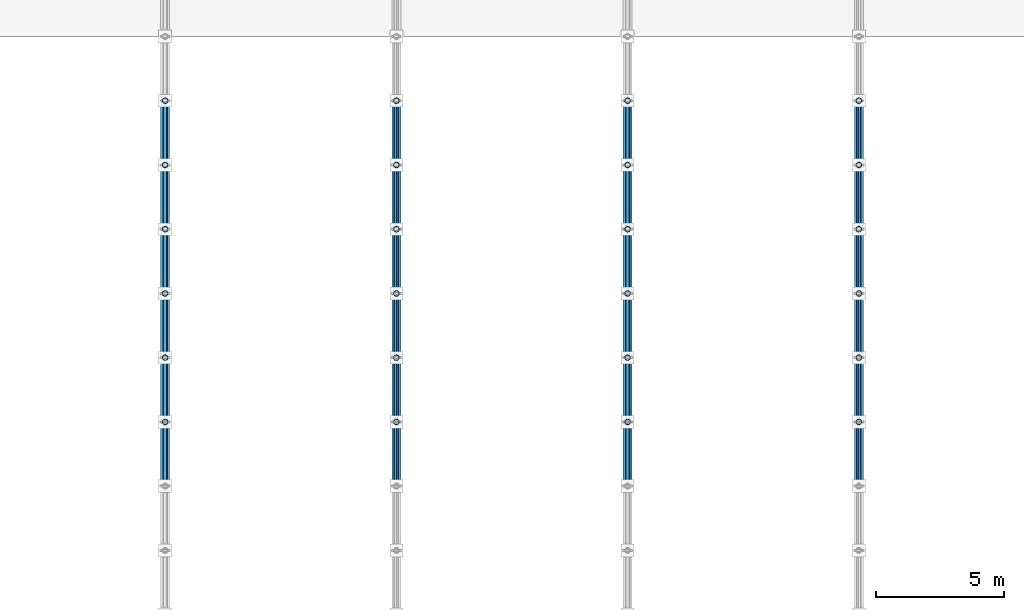
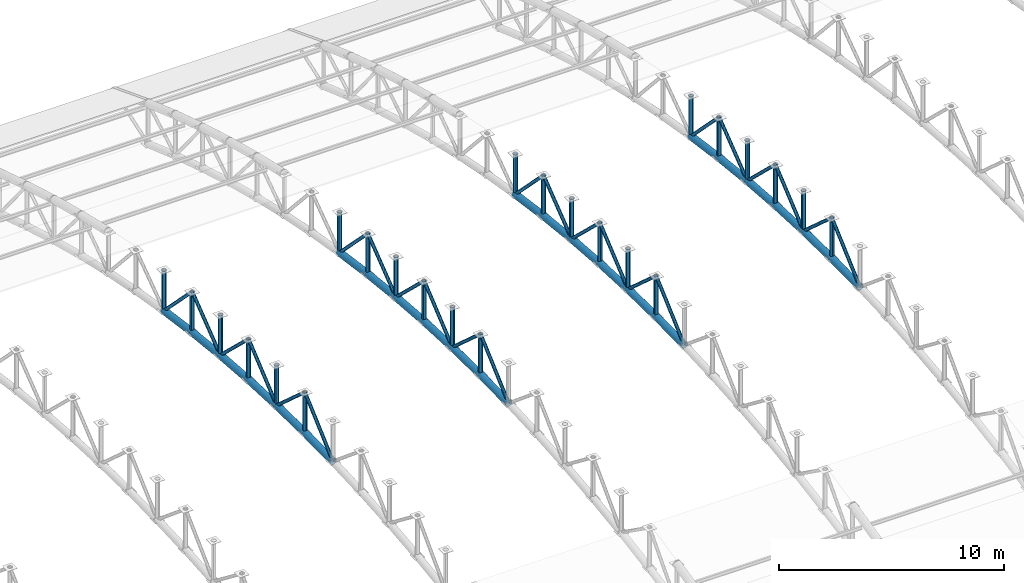
# One storey, part 81 of 195: 72 members.
"""IFC4 building model written with IfcOpenShell, lengths in metres."""

from ifc_helpers import new_model, si_unit, direction, frame, origin, origin_2d, place, context, subcontext, project, spatial, hollow_circle, extrude, material, material_profile, profile_set, type_object, element, save


model = new_model("IFC4")

# Units and contexts
model_context = context("Model", 3, precision=1e-05, world=origin(), true_north=direction((0.0, 1.0)))
body_context = subcontext(model_context, "Body", "Model", "MODEL_VIEW")
ifc_project = project(units=[si_unit("LENGTHUNIT", "METRE"), si_unit("AREAUNIT", "SQUARE_METRE"), si_unit("VOLUMEUNIT", "CUBIC_METRE"), si_unit("PLANEANGLEUNIT", "RADIAN"), si_unit("MASSUNIT", "GRAM", prefix="KILO")], contexts=[model_context])

# Site, building, storey
site_placement = place(None, origin())
site = spatial("IfcSite", under=ifc_project, at=site_placement, CompositionType="ELEMENT")
building_placement = place(site_placement, origin())
building = spatial("IfcBuilding", under=site, at=building_placement, Name="Marlcrest Central Station", CompositionType="ELEMENT")
storey_placement = place(building_placement, frame((0.0, 0.0, 9.800048828125)))
storey = spatial("IfcBuildingStorey", under=building, at=storey_placement, Name="L02", CompositionType="ELEMENT", Elevation=9.800048828125)

# Members
ifc_material = material(Name="Steel S355", Category="steel")
ifc_material_profile_1 = material_profile(ifc_material, hollow_circle(Radius=0.177734375, WallThickness=0.01611328125, at=origin_2d()), Name="CHS 355.6x16")
ifc_profile_set_1 = profile_set([ifc_material_profile_1], Name="Steel S355")
member_type_1 = type_object("IfcMemberType", Name="AC-02", PredefinedType="CHORD", material=ifc_profile_set_1)
for number, where, z_axis, x_axis, name in (
    (1, (162.0, 63.5, 4.76123046875), (0.0, 0.999879472592, 0.01552547228), (-1.0, 0.0, 0.0), "mem-AC-02-L02-01369"),
    (2, (162.0, 66.0, 4.800048828125), (0.0, 0.999879472592, -0.01552547228), (-1.0, 0.0, 0.0), "mem-AC-02-L02-01373"),
):
    element("IfcMember", number, at=place(storey_placement, frame(where, z_axis=z_axis, x_axis=x_axis)), inside=storey, type_object=member_type_1, Name=name, PredefinedType="CHORD", context=body_context, shape_type="SweptSolid", body=[
        extrude(hollow_circle(Radius=0.177734375, WallThickness=0.01611328125, at=origin_2d()), origin(), (0.0, 0.0, 1.0), 2.500244140625),
    ])
member_1_placement = place(storey_placement, frame((162.0, 68.5, 4.76123046875), z_axis=(0.0, 0.998916819647, -0.046531574509), x_axis=(-1.0, 0.0, 0.0)))
element("IfcMember", 3, at=member_1_placement, inside=storey, type_object=member_type_1, Name="mem-AC-02-L02-01377", PredefinedType="CHORD", context=body_context, shape_type="SweptSolid", body=[
    extrude(hollow_circle(Radius=0.177734375, WallThickness=0.01611328125, at=origin_2d()), origin(), (0.0, 0.0, 1.0), 2.502685546875),
])
member_2_placement = place(storey_placement, frame((162.0, 71.0, 4.644775390625), z_axis=(0.0, 0.997007334767, -0.077307014043), x_axis=(-1.0, 0.0, 0.0)))
element("IfcMember", 4, at=member_2_placement, inside=storey, type_object=member_type_1, Name="mem-AC-02-L02-01381", PredefinedType="CHORD", context=body_context, shape_type="SweptSolid", body=[
    extrude(hollow_circle(Radius=0.177734375, WallThickness=0.01611328125, at=origin_2d()), origin(), (0.0, 0.0, 1.0), 2.507568359375),
])
member_3_placement = place(storey_placement, frame((162.0, 73.5, 4.450927734375), z_axis=(0.0, 0.994155341034, -0.107959056565), x_axis=(-1.0, 0.0, 0.0)))
element("IfcMember", 5, at=member_3_placement, inside=storey, type_object=member_type_1, Name="mem-AC-02-L02-01385", PredefinedType="CHORD", context=body_context, shape_type="SweptSolid", body=[
    extrude(hollow_circle(Radius=0.177734375, WallThickness=0.01611328125, at=origin_2d()), origin(), (0.0, 0.0, 1.0), 2.5146484375),
])
member_4_placement = place(storey_placement, frame((162.0, 76.0, 4.179443359375), z_axis=(0.0, 0.990402740232, -0.138211476152), x_axis=(-1.0, 0.0, 0.0)))
element("IfcMember", 6, at=member_4_placement, inside=storey, type_object=member_type_1, Name="mem-AC-02-L02-01389", PredefinedType="CHORD", context=body_context, shape_type="SweptSolid", body=[
    extrude(hollow_circle(Radius=0.177734375, WallThickness=0.01611328125, at=origin_2d()), origin(), (0.0, 0.0, 1.0), 2.524169921875),
])
for number, where, z_axis, x_axis, name in (
    (7, (171.0, 63.5, 4.76123046875), (0.0, 0.999879472592, 0.01552547228), (-1.0, 0.0, 0.0), "mem-AC-02-L02-01485"),
    (8, (171.0, 66.0, 4.800048828125), (0.0, 0.999879472592, -0.01552547228), (-1.0, 0.0, 0.0), "mem-AC-02-L02-01489"),
):
    element("IfcMember", number, at=place(storey_placement, frame(where, z_axis=z_axis, x_axis=x_axis)), inside=storey, type_object=member_type_1, Name=name, PredefinedType="CHORD", context=body_context, shape_type="SweptSolid", body=[
        extrude(hollow_circle(Radius=0.177734375, WallThickness=0.01611328125, at=origin_2d()), origin(), (0.0, 0.0, 1.0), 2.500244140625),
    ])
member_5_placement = place(storey_placement, frame((171.0, 68.5, 4.76123046875), z_axis=(0.0, 0.998916819647, -0.046531574509), x_axis=(-1.0, 0.0, 0.0)))
element("IfcMember", 9, at=member_5_placement, inside=storey, type_object=member_type_1, Name="mem-AC-02-L02-01493", PredefinedType="CHORD", context=body_context, shape_type="SweptSolid", body=[
    extrude(hollow_circle(Radius=0.177734375, WallThickness=0.01611328125, at=origin_2d()), origin(), (0.0, 0.0, 1.0), 2.502685546875),
])
member_6_placement = place(storey_placement, frame((171.0, 71.0, 4.644775390625), z_axis=(0.0, 0.997007334767, -0.077307014043), x_axis=(-1.0, 0.0, 0.0)))
element("IfcMember", 10, at=member_6_placement, inside=storey, type_object=member_type_1, Name="mem-AC-02-L02-01497", PredefinedType="CHORD", context=body_context, shape_type="SweptSolid", body=[
    extrude(hollow_circle(Radius=0.177734375, WallThickness=0.01611328125, at=origin_2d()), origin(), (0.0, 0.0, 1.0), 2.507568359375),
])
member_7_placement = place(storey_placement, frame((171.0, 73.5, 4.450927734375), z_axis=(0.0, 0.994155341034, -0.107959056565), x_axis=(-1.0, 0.0, 0.0)))
element("IfcMember", 11, at=member_7_placement, inside=storey, type_object=member_type_1, Name="mem-AC-02-L02-01501", PredefinedType="CHORD", context=body_context, shape_type="SweptSolid", body=[
    extrude(hollow_circle(Radius=0.177734375, WallThickness=0.01611328125, at=origin_2d()), origin(), (0.0, 0.0, 1.0), 2.5146484375),
])
member_8_placement = place(storey_placement, frame((171.0, 76.0, 4.179443359375), z_axis=(0.0, 0.990402740232, -0.138211476152), x_axis=(-1.0, 0.0, 0.0)))
element("IfcMember", 12, at=member_8_placement, inside=storey, type_object=member_type_1, Name="mem-AC-02-L02-01505", PredefinedType="CHORD", context=body_context, shape_type="SweptSolid", body=[
    extrude(hollow_circle(Radius=0.177734375, WallThickness=0.01611328125, at=origin_2d()), origin(), (0.0, 0.0, 1.0), 2.524169921875),
])
for number, where, z_axis, x_axis, name in (
    (13, (180.0, 63.5, 4.76123046875), (0.0, 0.999879472592, 0.01552547228), (-1.0, 0.0, 0.0), "mem-AC-02-L02-01601"),
    (14, (180.0, 66.0, 4.800048828125), (0.0, 0.999879472592, -0.01552547228), (-1.0, 0.0, 0.0), "mem-AC-02-L02-01605"),
):
    element("IfcMember", number, at=place(storey_placement, frame(where, z_axis=z_axis, x_axis=x_axis)), inside=storey, type_object=member_type_1, Name=name, PredefinedType="CHORD", context=body_context, shape_type="SweptSolid", body=[
        extrude(hollow_circle(Radius=0.177734375, WallThickness=0.01611328125, at=origin_2d()), origin(), (0.0, 0.0, 1.0), 2.500244140625),
    ])
member_9_placement = place(storey_placement, frame((180.0, 68.5, 4.76123046875), z_axis=(0.0, 0.998916819647, -0.046531574509), x_axis=(-1.0, 0.0, 0.0)))
element("IfcMember", 15, at=member_9_placement, inside=storey, type_object=member_type_1, Name="mem-AC-02-L02-01609", PredefinedType="CHORD", context=body_context, shape_type="SweptSolid", body=[
    extrude(hollow_circle(Radius=0.177734375, WallThickness=0.01611328125, at=origin_2d()), origin(), (0.0, 0.0, 1.0), 2.502685546875),
])
member_10_placement = place(storey_placement, frame((180.0, 71.0, 4.644775390625), z_axis=(0.0, 0.997007334767, -0.077307014043), x_axis=(-1.0, 0.0, 0.0)))
element("IfcMember", 16, at=member_10_placement, inside=storey, type_object=member_type_1, Name="mem-AC-02-L02-01613", PredefinedType="CHORD", context=body_context, shape_type="SweptSolid", body=[
    extrude(hollow_circle(Radius=0.177734375, WallThickness=0.01611328125, at=origin_2d()), origin(), (0.0, 0.0, 1.0), 2.507568359375),
])
member_11_placement = place(storey_placement, frame((180.0, 73.5, 4.450927734375), z_axis=(0.0, 0.994155341034, -0.107959056565), x_axis=(-1.0, 0.0, 0.0)))
element("IfcMember", 17, at=member_11_placement, inside=storey, type_object=member_type_1, Name="mem-AC-02-L02-01617", PredefinedType="CHORD", context=body_context, shape_type="SweptSolid", body=[
    extrude(hollow_circle(Radius=0.177734375, WallThickness=0.01611328125, at=origin_2d()), origin(), (0.0, 0.0, 1.0), 2.5146484375),
])
member_12_placement = place(storey_placement, frame((180.0, 76.0, 4.179443359375), z_axis=(0.0, 0.990402740232, -0.138211476152), x_axis=(-1.0, 0.0, 0.0)))
element("IfcMember", 18, at=member_12_placement, inside=storey, type_object=member_type_1, Name="mem-AC-02-L02-01621", PredefinedType="CHORD", context=body_context, shape_type="SweptSolid", body=[
    extrude(hollow_circle(Radius=0.177734375, WallThickness=0.01611328125, at=origin_2d()), origin(), (0.0, 0.0, 1.0), 2.524169921875),
])
for number, where, z_axis, x_axis, name in (
    (19, (189.0, 63.5, 4.76123046875), (0.0, 0.999879472592, 0.01552547228), (-1.0, 0.0, 0.0), "mem-AC-02-L02-01717"),
    (20, (189.0, 66.0, 4.800048828125), (0.0, 0.999879472592, -0.01552547228), (-1.0, 0.0, 0.0), "mem-AC-02-L02-01721"),
):
    element("IfcMember", number, at=place(storey_placement, frame(where, z_axis=z_axis, x_axis=x_axis)), inside=storey, type_object=member_type_1, Name=name, PredefinedType="CHORD", context=body_context, shape_type="SweptSolid", body=[
        extrude(hollow_circle(Radius=0.177734375, WallThickness=0.01611328125, at=origin_2d()), origin(), (0.0, 0.0, 1.0), 2.500244140625),
    ])
member_13_placement = place(storey_placement, frame((189.0, 68.5, 4.76123046875), z_axis=(0.0, 0.998916819647, -0.046531574509), x_axis=(-1.0, 0.0, 0.0)))
element("IfcMember", 21, at=member_13_placement, inside=storey, type_object=member_type_1, Name="mem-AC-02-L02-01725", PredefinedType="CHORD", context=body_context, shape_type="SweptSolid", body=[
    extrude(hollow_circle(Radius=0.177734375, WallThickness=0.01611328125, at=origin_2d()), origin(), (0.0, 0.0, 1.0), 2.502685546875),
])
member_14_placement = place(storey_placement, frame((189.0, 71.0, 4.644775390625), z_axis=(0.0, 0.997007334767, -0.077307014043), x_axis=(-1.0, 0.0, 0.0)))
element("IfcMember", 22, at=member_14_placement, inside=storey, type_object=member_type_1, Name="mem-AC-02-L02-01729", PredefinedType="CHORD", context=body_context, shape_type="SweptSolid", body=[
    extrude(hollow_circle(Radius=0.177734375, WallThickness=0.01611328125, at=origin_2d()), origin(), (0.0, 0.0, 1.0), 2.507568359375),
])
member_15_placement = place(storey_placement, frame((189.0, 73.5, 4.450927734375), z_axis=(0.0, 0.994155341034, -0.107959056565), x_axis=(-1.0, 0.0, 0.0)))
element("IfcMember", 23, at=member_15_placement, inside=storey, type_object=member_type_1, Name="mem-AC-02-L02-01733", PredefinedType="CHORD", context=body_context, shape_type="SweptSolid", body=[
    extrude(hollow_circle(Radius=0.177734375, WallThickness=0.01611328125, at=origin_2d()), origin(), (0.0, 0.0, 1.0), 2.5146484375),
])
member_16_placement = place(storey_placement, frame((189.0, 76.0, 4.179443359375), z_axis=(0.0, 0.990402740232, -0.138211476152), x_axis=(-1.0, 0.0, 0.0)))
element("IfcMember", 24, at=member_16_placement, inside=storey, type_object=member_type_1, Name="mem-AC-02-L02-01737", PredefinedType="CHORD", context=body_context, shape_type="SweptSolid", body=[
    extrude(hollow_circle(Radius=0.177734375, WallThickness=0.01611328125, at=origin_2d()), origin(), (0.0, 0.0, 1.0), 2.524169921875),
])
ifc_material_profile_2 = material_profile(ifc_material, hollow_circle(Radius=0.084228515625, WallThickness=0.010009765625, at=origin_2d()), Name="CHS 168.3x10")
ifc_profile_set_2 = profile_set([ifc_material_profile_2], Name="Steel S355")
member_type_2 = type_object("IfcMemberType", Name="AD-01", PredefinedType="BRACE", material=ifc_profile_set_2)
for number, where, z_axis, x_axis, name in (
    (25, (162.0, 63.5, 4.76123046875), (0.0, 0.744955843007, 0.66711377738), (-1.0, 0.0, 0.0), "mem-AD-01-L02-01371"),
    (26, (162.0, 66.0, 7.0), (0.0, 0.744955843007, -0.66711377738), (-1.0, 0.0, 0.0), "mem-AD-01-L02-01375"),
):
    element("IfcMember", number, at=place(storey_placement, frame(where, z_axis=z_axis, x_axis=x_axis)), inside=storey, type_object=member_type_2, Name=name, PredefinedType="BRACE", context=body_context, shape_type="SweptSolid", body=[
        extrude(hollow_circle(Radius=0.084228515625, WallThickness=0.010009765625, at=origin_2d()), origin(), (0.0, 0.0, 1.0), 3.35595703125),
    ])
member_17_placement = place(storey_placement, frame((162.0, 68.5, 4.76123046875), z_axis=(0.0, 0.768159787854, 0.640258182552), x_axis=(-1.0, 0.0, 0.0)))
element("IfcMember", 27, at=member_17_placement, inside=storey, type_object=member_type_2, Name="mem-AD-01-L02-01379", PredefinedType="BRACE", context=body_context, shape_type="SweptSolid", body=[
    extrude(hollow_circle(Radius=0.084228515625, WallThickness=0.010009765625, at=origin_2d()), origin(), (0.0, 0.0, 1.0), 3.254638671875),
])
member_18_placement = place(storey_placement, frame((162.0, 71.0, 6.844970703125), z_axis=(0.0, 0.722246537655, -0.691635698071), x_axis=(-1.0, 0.0, 0.0)))
element("IfcMember", 28, at=member_18_placement, inside=storey, type_object=member_type_2, Name="mem-AD-01-L02-01383", PredefinedType="BRACE", context=body_context, shape_type="SweptSolid", body=[
    extrude(hollow_circle(Radius=0.084228515625, WallThickness=0.010009765625, at=origin_2d()), origin(), (0.0, 0.0, 1.0), 3.46142578125),
])
member_19_placement = place(storey_placement, frame((162.0, 73.5, 4.450927734375), z_axis=(0.0, 0.791798282026, 0.610782678684), x_axis=(-1.0, 0.0, 0.0)))
element("IfcMember", 29, at=member_19_placement, inside=storey, type_object=member_type_2, Name="mem-AD-01-L02-01387", PredefinedType="BRACE", context=body_context, shape_type="SweptSolid", body=[
    extrude(hollow_circle(Radius=0.084228515625, WallThickness=0.010009765625, at=origin_2d()), origin(), (0.0, 0.0, 1.0), 3.157470703125),
])
member_20_placement = place(storey_placement, frame((162.0, 76.0, 6.37939453125), z_axis=(0.0, 0.70023547796, -0.713911952139), x_axis=(-1.0, 0.0, 0.0)))
element("IfcMember", 30, at=member_20_placement, inside=storey, type_object=member_type_2, Name="mem-AD-01-L02-01391", PredefinedType="BRACE", context=body_context, shape_type="SweptSolid", body=[
    extrude(hollow_circle(Radius=0.084228515625, WallThickness=0.010009765625, at=origin_2d()), origin(), (0.0, 0.0, 1.0), 3.5703125),
])
for number, where, z_axis, x_axis, name in (
    (31, (171.0, 63.5, 4.76123046875), (0.0, 0.744955843007, 0.66711377738), (-1.0, 0.0, 0.0), "mem-AD-01-L02-01487"),
    (32, (171.0, 66.0, 7.0), (0.0, 0.744955843007, -0.66711377738), (-1.0, 0.0, 0.0), "mem-AD-01-L02-01491"),
):
    element("IfcMember", number, at=place(storey_placement, frame(where, z_axis=z_axis, x_axis=x_axis)), inside=storey, type_object=member_type_2, Name=name, PredefinedType="BRACE", context=body_context, shape_type="SweptSolid", body=[
        extrude(hollow_circle(Radius=0.084228515625, WallThickness=0.010009765625, at=origin_2d()), origin(), (0.0, 0.0, 1.0), 3.35595703125),
    ])
member_21_placement = place(storey_placement, frame((171.0, 68.5, 4.76123046875), z_axis=(0.0, 0.768159787854, 0.640258182552), x_axis=(-1.0, 0.0, 0.0)))
element("IfcMember", 33, at=member_21_placement, inside=storey, type_object=member_type_2, Name="mem-AD-01-L02-01495", PredefinedType="BRACE", context=body_context, shape_type="SweptSolid", body=[
    extrude(hollow_circle(Radius=0.084228515625, WallThickness=0.010009765625, at=origin_2d()), origin(), (0.0, 0.0, 1.0), 3.254638671875),
])
member_22_placement = place(storey_placement, frame((171.0, 71.0, 6.844970703125), z_axis=(0.0, 0.722246537655, -0.691635698071), x_axis=(-1.0, 0.0, 0.0)))
element("IfcMember", 34, at=member_22_placement, inside=storey, type_object=member_type_2, Name="mem-AD-01-L02-01499", PredefinedType="BRACE", context=body_context, shape_type="SweptSolid", body=[
    extrude(hollow_circle(Radius=0.084228515625, WallThickness=0.010009765625, at=origin_2d()), origin(), (0.0, 0.0, 1.0), 3.46142578125),
])
member_23_placement = place(storey_placement, frame((171.0, 73.5, 4.450927734375), z_axis=(0.0, 0.791798282026, 0.610782678684), x_axis=(-1.0, 0.0, 0.0)))
element("IfcMember", 35, at=member_23_placement, inside=storey, type_object=member_type_2, Name="mem-AD-01-L02-01503", PredefinedType="BRACE", context=body_context, shape_type="SweptSolid", body=[
    extrude(hollow_circle(Radius=0.084228515625, WallThickness=0.010009765625, at=origin_2d()), origin(), (0.0, 0.0, 1.0), 3.157470703125),
])
member_24_placement = place(storey_placement, frame((171.0, 76.0, 6.37939453125), z_axis=(0.0, 0.70023547796, -0.713911952139), x_axis=(-1.0, 0.0, 0.0)))
element("IfcMember", 36, at=member_24_placement, inside=storey, type_object=member_type_2, Name="mem-AD-01-L02-01507", PredefinedType="BRACE", context=body_context, shape_type="SweptSolid", body=[
    extrude(hollow_circle(Radius=0.084228515625, WallThickness=0.010009765625, at=origin_2d()), origin(), (0.0, 0.0, 1.0), 3.5703125),
])
for number, where, z_axis, x_axis, name in (
    (37, (180.0, 63.5, 4.76123046875), (0.0, 0.744955843007, 0.66711377738), (-1.0, 0.0, 0.0), "mem-AD-01-L02-01603"),
    (38, (180.0, 66.0, 7.0), (0.0, 0.744955843007, -0.66711377738), (-1.0, 0.0, 0.0), "mem-AD-01-L02-01607"),
):
    element("IfcMember", number, at=place(storey_placement, frame(where, z_axis=z_axis, x_axis=x_axis)), inside=storey, type_object=member_type_2, Name=name, PredefinedType="BRACE", context=body_context, shape_type="SweptSolid", body=[
        extrude(hollow_circle(Radius=0.084228515625, WallThickness=0.010009765625, at=origin_2d()), origin(), (0.0, 0.0, 1.0), 3.35595703125),
    ])
member_25_placement = place(storey_placement, frame((180.0, 68.5, 4.76123046875), z_axis=(0.0, 0.768159787854, 0.640258182552), x_axis=(-1.0, 0.0, 0.0)))
element("IfcMember", 39, at=member_25_placement, inside=storey, type_object=member_type_2, Name="mem-AD-01-L02-01611", PredefinedType="BRACE", context=body_context, shape_type="SweptSolid", body=[
    extrude(hollow_circle(Radius=0.084228515625, WallThickness=0.010009765625, at=origin_2d()), origin(), (0.0, 0.0, 1.0), 3.254638671875),
])
member_26_placement = place(storey_placement, frame((180.0, 71.0, 6.844970703125), z_axis=(0.0, 0.722246537655, -0.691635698071), x_axis=(-1.0, 0.0, 0.0)))
element("IfcMember", 40, at=member_26_placement, inside=storey, type_object=member_type_2, Name="mem-AD-01-L02-01615", PredefinedType="BRACE", context=body_context, shape_type="SweptSolid", body=[
    extrude(hollow_circle(Radius=0.084228515625, WallThickness=0.010009765625, at=origin_2d()), origin(), (0.0, 0.0, 1.0), 3.46142578125),
])
member_27_placement = place(storey_placement, frame((180.0, 73.5, 4.450927734375), z_axis=(0.0, 0.791798282026, 0.610782678684), x_axis=(-1.0, 0.0, 0.0)))
element("IfcMember", 41, at=member_27_placement, inside=storey, type_object=member_type_2, Name="mem-AD-01-L02-01619", PredefinedType="BRACE", context=body_context, shape_type="SweptSolid", body=[
    extrude(hollow_circle(Radius=0.084228515625, WallThickness=0.010009765625, at=origin_2d()), origin(), (0.0, 0.0, 1.0), 3.157470703125),
])
member_28_placement = place(storey_placement, frame((180.0, 76.0, 6.37939453125), z_axis=(0.0, 0.70023547796, -0.713911952139), x_axis=(-1.0, 0.0, 0.0)))
element("IfcMember", 42, at=member_28_placement, inside=storey, type_object=member_type_2, Name="mem-AD-01-L02-01623", PredefinedType="BRACE", context=body_context, shape_type="SweptSolid", body=[
    extrude(hollow_circle(Radius=0.084228515625, WallThickness=0.010009765625, at=origin_2d()), origin(), (0.0, 0.0, 1.0), 3.5703125),
])
for number, where, z_axis, x_axis, name in (
    (43, (189.0, 63.5, 4.76123046875), (0.0, 0.744955843007, 0.66711377738), (-1.0, 0.0, 0.0), "mem-AD-01-L02-01719"),
    (44, (189.0, 66.0, 7.0), (0.0, 0.744955843007, -0.66711377738), (-1.0, 0.0, 0.0), "mem-AD-01-L02-01723"),
):
    element("IfcMember", number, at=place(storey_placement, frame(where, z_axis=z_axis, x_axis=x_axis)), inside=storey, type_object=member_type_2, Name=name, PredefinedType="BRACE", context=body_context, shape_type="SweptSolid", body=[
        extrude(hollow_circle(Radius=0.084228515625, WallThickness=0.010009765625, at=origin_2d()), origin(), (0.0, 0.0, 1.0), 3.35595703125),
    ])
member_29_placement = place(storey_placement, frame((189.0, 68.5, 4.76123046875), z_axis=(0.0, 0.768159787854, 0.640258182552), x_axis=(-1.0, 0.0, 0.0)))
element("IfcMember", 45, at=member_29_placement, inside=storey, type_object=member_type_2, Name="mem-AD-01-L02-01727", PredefinedType="BRACE", context=body_context, shape_type="SweptSolid", body=[
    extrude(hollow_circle(Radius=0.084228515625, WallThickness=0.010009765625, at=origin_2d()), origin(), (0.0, 0.0, 1.0), 3.254638671875),
])
member_30_placement = place(storey_placement, frame((189.0, 71.0, 6.844970703125), z_axis=(0.0, 0.722246537655, -0.691635698071), x_axis=(-1.0, 0.0, 0.0)))
element("IfcMember", 46, at=member_30_placement, inside=storey, type_object=member_type_2, Name="mem-AD-01-L02-01731", PredefinedType="BRACE", context=body_context, shape_type="SweptSolid", body=[
    extrude(hollow_circle(Radius=0.084228515625, WallThickness=0.010009765625, at=origin_2d()), origin(), (0.0, 0.0, 1.0), 3.46142578125),
])
member_31_placement = place(storey_placement, frame((189.0, 73.5, 4.450927734375), z_axis=(0.0, 0.791798282026, 0.610782678684), x_axis=(-1.0, 0.0, 0.0)))
element("IfcMember", 47, at=member_31_placement, inside=storey, type_object=member_type_2, Name="mem-AD-01-L02-01735", PredefinedType="BRACE", context=body_context, shape_type="SweptSolid", body=[
    extrude(hollow_circle(Radius=0.084228515625, WallThickness=0.010009765625, at=origin_2d()), origin(), (0.0, 0.0, 1.0), 3.157470703125),
])
member_32_placement = place(storey_placement, frame((189.0, 76.0, 6.37939453125), z_axis=(0.0, 0.70023547796, -0.713911952139), x_axis=(-1.0, 0.0, 0.0)))
element("IfcMember", 48, at=member_32_placement, inside=storey, type_object=member_type_2, Name="mem-AD-01-L02-01739", PredefinedType="BRACE", context=body_context, shape_type="SweptSolid", body=[
    extrude(hollow_circle(Radius=0.084228515625, WallThickness=0.010009765625, at=origin_2d()), origin(), (0.0, 0.0, 1.0), 3.5703125),
])
ifc_material_profile_3 = material_profile(ifc_material, hollow_circle(Radius=0.109619140625, WallThickness=0.012451171875, at=origin_2d()), Name="CHS 219.1x12.5")
ifc_profile_set_3 = profile_set([ifc_material_profile_3], Name="Steel S355")
member_type_3 = type_object("IfcMemberType", Name="AP-01", PredefinedType="POST", material=ifc_profile_set_3)
for number, where, z_axis, x_axis, name in (
    (49, (162.0, 66.0, 4.800048828125), (0.0, 0.0, 1.0), (1.0, 0.0, 0.0), "mem-AP-01-L02-01374"),
    (50, (162.0, 68.5, 4.76123046875), (0.0, 0.0, 1.0), (1.0, 0.0, 0.0), "mem-AP-01-L02-01378"),
):
    element("IfcMember", number, at=place(storey_placement, frame(where, z_axis=z_axis, x_axis=x_axis)), inside=storey, type_object=member_type_3, Name=name, PredefinedType="POST", context=body_context, shape_type="SweptSolid", body=[
        extrude(hollow_circle(Radius=0.109619140625, WallThickness=0.012451171875, at=origin_2d()), origin(), (0.0, 0.0, 1.0), 2.199951171875),
    ])
member_33_placement = place(storey_placement, frame((162.0, 71.0, 4.644775390625), z_axis=(0.0, 0.0, 1.0), x_axis=(1.0, 0.0, 0.0)))
element("IfcMember", 51, at=member_33_placement, inside=storey, type_object=member_type_3, Name="mem-AP-01-L02-01382", PredefinedType="POST", context=body_context, shape_type="SweptSolid", body=[
    extrude(hollow_circle(Radius=0.109619140625, WallThickness=0.012451171875, at=origin_2d()), origin(), (0.0, 0.0, 1.0), 2.2001953125),
])
for number, where, z_axis, x_axis, name in (
    (52, (162.0, 73.5, 4.450927734375), (0.0, 0.0, 1.0), (1.0, 0.0, 0.0), "mem-AP-01-L02-01386"),
    (53, (162.0, 76.0, 4.179443359375), (0.0, 0.0, 1.0), (1.0, 0.0, 0.0), "mem-AP-01-L02-01390"),
    (54, (162.0, 78.5, 3.83056640625), (0.0, 0.0, 1.0), (1.0, 0.0, 0.0), "mem-AP-01-L02-01394"),
    (55, (171.0, 66.0, 4.800048828125), (0.0, 0.0, 1.0), (1.0, 0.0, 0.0), "mem-AP-01-L02-01490"),
    (56, (171.0, 68.5, 4.76123046875), (0.0, 0.0, 1.0), (1.0, 0.0, 0.0), "mem-AP-01-L02-01494"),
):
    element("IfcMember", number, at=place(storey_placement, frame(where, z_axis=z_axis, x_axis=x_axis)), inside=storey, type_object=member_type_3, Name=name, PredefinedType="POST", context=body_context, shape_type="SweptSolid", body=[
        extrude(hollow_circle(Radius=0.109619140625, WallThickness=0.012451171875, at=origin_2d()), origin(), (0.0, 0.0, 1.0), 2.199951171875),
    ])
member_34_placement = place(storey_placement, frame((171.0, 71.0, 4.644775390625), z_axis=(0.0, 0.0, 1.0), x_axis=(1.0, 0.0, 0.0)))
element("IfcMember", 57, at=member_34_placement, inside=storey, type_object=member_type_3, Name="mem-AP-01-L02-01498", PredefinedType="POST", context=body_context, shape_type="SweptSolid", body=[
    extrude(hollow_circle(Radius=0.109619140625, WallThickness=0.012451171875, at=origin_2d()), origin(), (0.0, 0.0, 1.0), 2.2001953125),
])
for number, where, z_axis, x_axis, name in (
    (58, (171.0, 73.5, 4.450927734375), (0.0, 0.0, 1.0), (1.0, 0.0, 0.0), "mem-AP-01-L02-01502"),
    (59, (171.0, 76.0, 4.179443359375), (0.0, 0.0, 1.0), (1.0, 0.0, 0.0), "mem-AP-01-L02-01506"),
    (60, (171.0, 78.5, 3.83056640625), (0.0, 0.0, 1.0), (1.0, 0.0, 0.0), "mem-AP-01-L02-01510"),
    (61, (180.0, 66.0, 4.800048828125), (0.0, 0.0, 1.0), (1.0, 0.0, 0.0), "mem-AP-01-L02-01606"),
    (62, (180.0, 68.5, 4.76123046875), (0.0, 0.0, 1.0), (1.0, 0.0, 0.0), "mem-AP-01-L02-01610"),
):
    element("IfcMember", number, at=place(storey_placement, frame(where, z_axis=z_axis, x_axis=x_axis)), inside=storey, type_object=member_type_3, Name=name, PredefinedType="POST", context=body_context, shape_type="SweptSolid", body=[
        extrude(hollow_circle(Radius=0.109619140625, WallThickness=0.012451171875, at=origin_2d()), origin(), (0.0, 0.0, 1.0), 2.199951171875),
    ])
member_35_placement = place(storey_placement, frame((180.0, 71.0, 4.644775390625), z_axis=(0.0, 0.0, 1.0), x_axis=(1.0, 0.0, 0.0)))
element("IfcMember", 63, at=member_35_placement, inside=storey, type_object=member_type_3, Name="mem-AP-01-L02-01614", PredefinedType="POST", context=body_context, shape_type="SweptSolid", body=[
    extrude(hollow_circle(Radius=0.109619140625, WallThickness=0.012451171875, at=origin_2d()), origin(), (0.0, 0.0, 1.0), 2.2001953125),
])
for number, where, z_axis, x_axis, name in (
    (64, (180.0, 73.5, 4.450927734375), (0.0, 0.0, 1.0), (1.0, 0.0, 0.0), "mem-AP-01-L02-01618"),
    (65, (180.0, 76.0, 4.179443359375), (0.0, 0.0, 1.0), (1.0, 0.0, 0.0), "mem-AP-01-L02-01622"),
    (66, (180.0, 78.5, 3.83056640625), (0.0, 0.0, 1.0), (1.0, 0.0, 0.0), "mem-AP-01-L02-01626"),
    (67, (189.0, 66.0, 4.800048828125), (0.0, 0.0, 1.0), (1.0, 0.0, 0.0), "mem-AP-01-L02-01722"),
    (68, (189.0, 68.5, 4.76123046875), (0.0, 0.0, 1.0), (1.0, 0.0, 0.0), "mem-AP-01-L02-01726"),
):
    element("IfcMember", number, at=place(storey_placement, frame(where, z_axis=z_axis, x_axis=x_axis)), inside=storey, type_object=member_type_3, Name=name, PredefinedType="POST", context=body_context, shape_type="SweptSolid", body=[
        extrude(hollow_circle(Radius=0.109619140625, WallThickness=0.012451171875, at=origin_2d()), origin(), (0.0, 0.0, 1.0), 2.199951171875),
    ])
member_36_placement = place(storey_placement, frame((189.0, 71.0, 4.644775390625), z_axis=(0.0, 0.0, 1.0), x_axis=(1.0, 0.0, 0.0)))
element("IfcMember", 69, at=member_36_placement, inside=storey, type_object=member_type_3, Name="mem-AP-01-L02-01730", PredefinedType="POST", context=body_context, shape_type="SweptSolid", body=[
    extrude(hollow_circle(Radius=0.109619140625, WallThickness=0.012451171875, at=origin_2d()), origin(), (0.0, 0.0, 1.0), 2.2001953125),
])
for number, where, z_axis, x_axis, name in (
    (70, (189.0, 73.5, 4.450927734375), (0.0, 0.0, 1.0), (1.0, 0.0, 0.0), "mem-AP-01-L02-01734"),
    (71, (189.0, 76.0, 4.179443359375), (0.0, 0.0, 1.0), (1.0, 0.0, 0.0), "mem-AP-01-L02-01738"),
    (72, (189.0, 78.5, 3.83056640625), (0.0, 0.0, 1.0), (1.0, 0.0, 0.0), "mem-AP-01-L02-01742"),
):
    element("IfcMember", number, at=place(storey_placement, frame(where, z_axis=z_axis, x_axis=x_axis)), inside=storey, type_object=member_type_3, Name=name, PredefinedType="POST", context=body_context, shape_type="SweptSolid", body=[
        extrude(hollow_circle(Radius=0.109619140625, WallThickness=0.012451171875, at=origin_2d()), origin(), (0.0, 0.0, 1.0), 2.199951171875),
    ])

save(model, "model.ifc")
